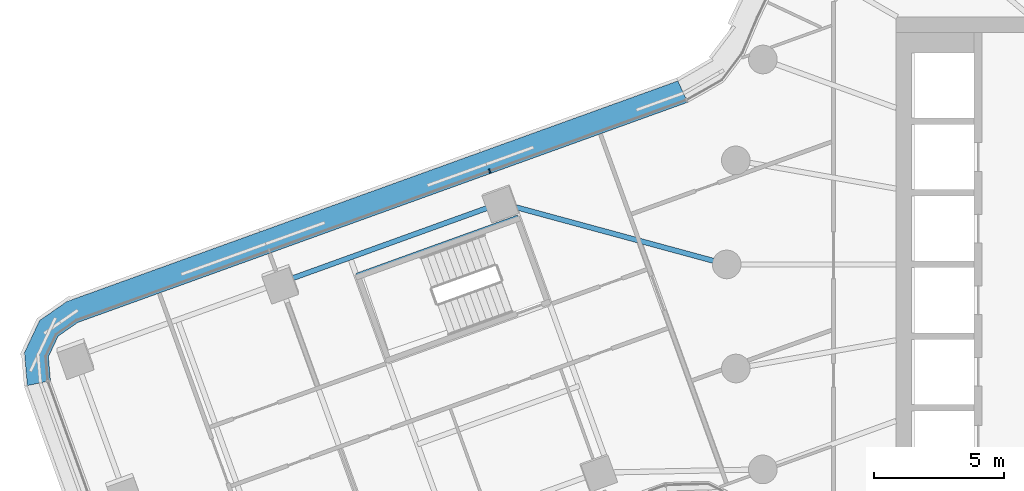
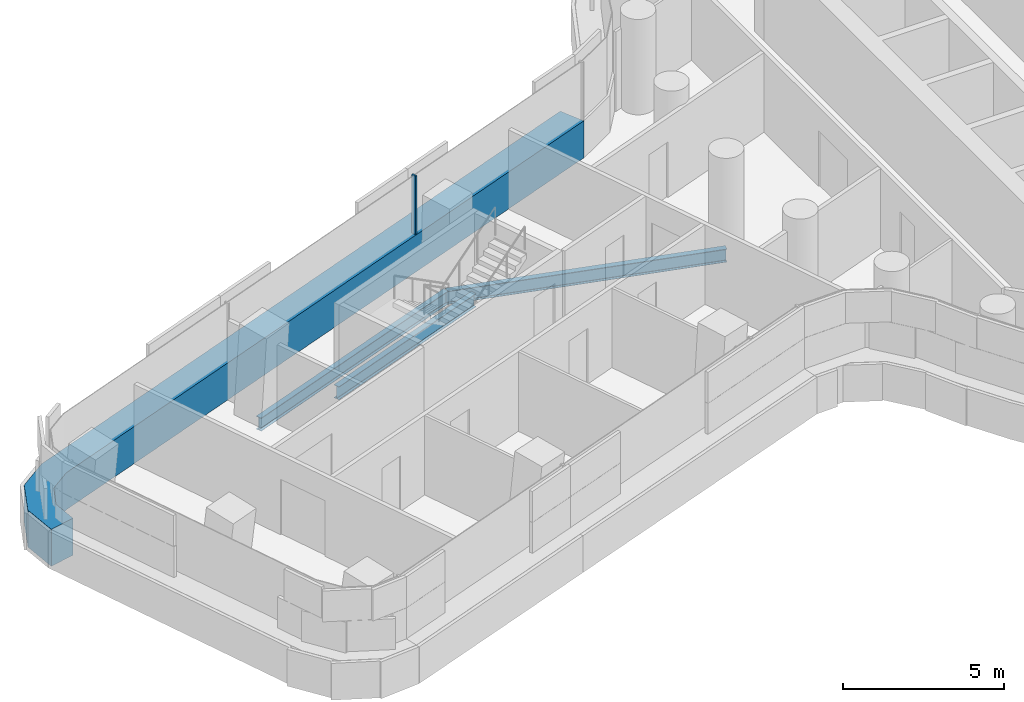
# One storey, part 6 of 30: 3 beams, 2 members, 1 element without a shape of its own.
"""IFC4 building model written with IfcOpenShell, lengths in metres."""

from ifc_helpers import new_model, si_unit, direction, frame, origin, origin_2d, place, context, subcontext, project, spatial, polyline, rectangle, i_section, outline, extrude, material, layer, layer_set, material_profile, profile_set, type_object, element, aggregate, save


model = new_model("IFC4")

# Units and contexts
model_context = context("Model", 3, precision=1e-05, world=origin(), true_north=direction((0.0, 1.0)))
body_context = subcontext(model_context, "Body", "Model", "MODEL_VIEW")
ifc_project = project(units=[si_unit("LENGTHUNIT", "METRE"), si_unit("AREAUNIT", "SQUARE_METRE"), si_unit("VOLUMEUNIT", "CUBIC_METRE"), si_unit("PLANEANGLEUNIT", "RADIAN"), si_unit("MASSUNIT", "GRAM", prefix="KILO")], contexts=[model_context])

# Site, building, storey
site_placement = place(None, origin())
site = spatial("IfcSite", under=ifc_project, at=site_placement, CompositionType="ELEMENT")
building_placement = place(site_placement, origin())
building = spatial("IfcBuilding", under=site, at=building_placement, Name="Tamarind Cross Interchange Tower", CompositionType="ELEMENT")
storey_placement = place(building_placement, frame((0.0, 0.0, 106.0)))
storey = spatial("IfcBuildingStorey", under=building, at=storey_placement, Name="L25", CompositionType="ELEMENT", Elevation=106.0)

# Beams
ifc_material_1 = material(Name="Steel Q355B", Category="steel")
ifc_material_profile_1 = material_profile(ifc_material_1, i_section(OverallWidth=0.198974609375, OverallDepth=0.49609375, WebThickness=0.009033203125, FlangeThickness=0.013916015625, FilletRadius=0.012939453125, at=origin_2d()), Name="HN 496x199x9x14")
ifc_profile_set_1 = profile_set([ifc_material_profile_1], Name="Steel Q355B")
beam_type = type_object("IfcBeamType", Name="Composite beam HN 496x199x9x14 Q355B", PredefinedType="BEAM", material=ifc_profile_set_1)
beam_1_placement = place(storey_placement, frame((-40.1396484375, -0.701416015625, -0.387939453125), z_axis=(0.940578209837, 0.339577135833, 0.0), x_axis=(-0.339577135833, 0.940578209837, 0.0)))
element("IfcBeam", 1, at=beam_1_placement, inside=storey, type_object=beam_type, Name="Beam W-edgeem6", PredefinedType="BEAM", context=body_context, shape_type="SweptSolid", body=[
    extrude(i_section(OverallWidth=0.198974609375, OverallDepth=0.49609375, WebThickness=0.009033203125, FlangeThickness=0.013916015625, FilletRadius=0.012939453125, at=origin_2d()), origin(), (0.0, 0.0, 1.0), 8.999755859375),
])
beam_2_placement = place(storey_placement, frame((-31.674560546875, 2.354736328125, -0.387939453125), z_axis=(0.965075290651, -0.26197267677, 0.0), x_axis=(0.26197267677, 0.965075290651, 0.0)))
element("IfcBeam", 2, at=beam_2_placement, inside=storey, type_object=beam_type, Name="Beam W-linkem", PredefinedType="BEAM", context=body_context, shape_type="SweptSolid", body=[
    extrude(i_section(OverallWidth=0.198974609375, OverallDepth=0.49609375, WebThickness=0.009033203125, FlangeThickness=0.013916015625, FilletRadius=0.012939453125, at=origin_2d()), origin(), (0.0, 0.0, 1.0), 8.988525390625),
])
beam_3_placement = place(storey_placement, frame((-30.99658203125, 1.802001953125, -0.387939453125), z_axis=(-0.940577203245, -0.339579923931, 0.0), x_axis=(0.339579923931, -0.940577203245, 0.0)))
element("IfcBeam", 3, at=beam_3_placement, inside=storey, type_object=beam_type, Name="Beam W-tr0", PredefinedType="BEAM", context=body_context, shape_type="SweptSolid", body=[
    extrude(i_section(OverallWidth=0.198974609375, OverallDepth=0.49609375, WebThickness=0.009033203125, FlangeThickness=0.013916015625, FilletRadius=0.012939453125, at=origin_2d()), origin(), (0.0, 0.0, 1.0), 6.599853515625),
])

# Curtain wall, members
ifc_material_2 = material(Name="Aluminium 6063-T6", Category="aluminium")
ifc_layer = layer(ifc_material_2, 0.159912109375)
ifc_layer_set = layer_set([ifc_layer], Name="Aluminium 6063-T6")
curtain_wall_type = type_object("IfcCurtainWallType", Name="Office curtain wall, 9.0 m bays", PredefinedType="NOTDEFINED", material=ifc_layer_set)
curtain_wall_placement = place(storey_placement, origin())
curtain_wall = element("IfcCurtainWall", 4, at=curtain_wall_placement, inside=storey, type_object=curtain_wall_type, Name="CWS-L25-15", PredefinedType="NOTDEFINED")
ifc_material_3 = material(Name="Aluminium and insulated spandrel panel", Category="aluminium")
member_type_1 = type_object("IfcMemberType", Name="Floor-edge blade transom", PredefinedType="USERDEFINED", material=ifc_material_3)
member_1_placement = place(storey_placement, origin())
member_1 = element("IfcMember", 5, at=member_1_placement, type_object=member_type_1, Name="CWT-L25-15", ObjectType="TRANSOM", PredefinedType="USERDEFINED", context=body_context, shape_type="SweptSolid", body=[
    extrude(outline(polyline([(-24.50048828125, 6.220458984375), (-47.909912109375, -2.23095703125), (-48.6611328125, -2.754150390625), (-49.032958984375, -3.545654296875), (-48.955322265625, -4.457763671875), (-49.84228515625, -4.652099609375), (-49.949951171875, -3.381591796875), (-49.37353515625, -2.1533203125), (-48.3271484375, -1.4248046875), (-24.873046875, 7.04296875), (-24.50048828125, 6.220458984375)])), origin(), (0.0, 0.0, 1.0), 1.39990234375),
])
ifc_material_profile_2 = material_profile(ifc_material_2, rectangle(XDim=0.06005859375, YDim=0.159912109375, at=origin_2d()), Name="Mullion CW1")
ifc_profile_set_2 = profile_set([ifc_material_profile_2], Name="Aluminium 6063-T6")
member_type_2 = type_object("IfcMemberType", Name="Mullion CW1", PredefinedType="MULLION", material=ifc_profile_set_2)
member_2_placement = place(storey_placement, frame((-32.097900390625, 3.583984375, 1.39990234375), z_axis=(0.0, 0.0, 1.0), x_axis=(-0.94057769422, -0.339578564011, 0.0)))
member_2 = element("IfcMember", 6, at=member_2_placement, type_object=member_type_2, Name="CWM-L25-15-01", PredefinedType="MULLION", context=body_context, shape_type="SweptSolid", body=[
    extrude(rectangle(XDim=0.06005859375, YDim=0.159912109375, at=origin_2d()), origin(), (0.0, 0.0, 1.0), 2.210205078125),
])
aggregate(curtain_wall, [member_2, member_1])

save(model, "model.ifc")
